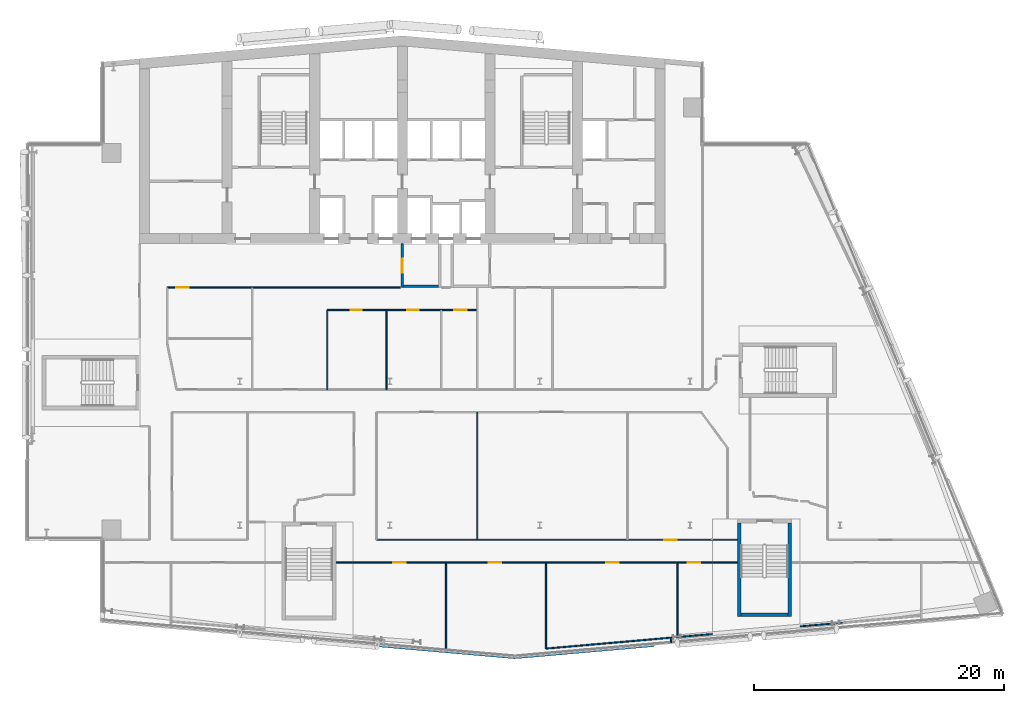
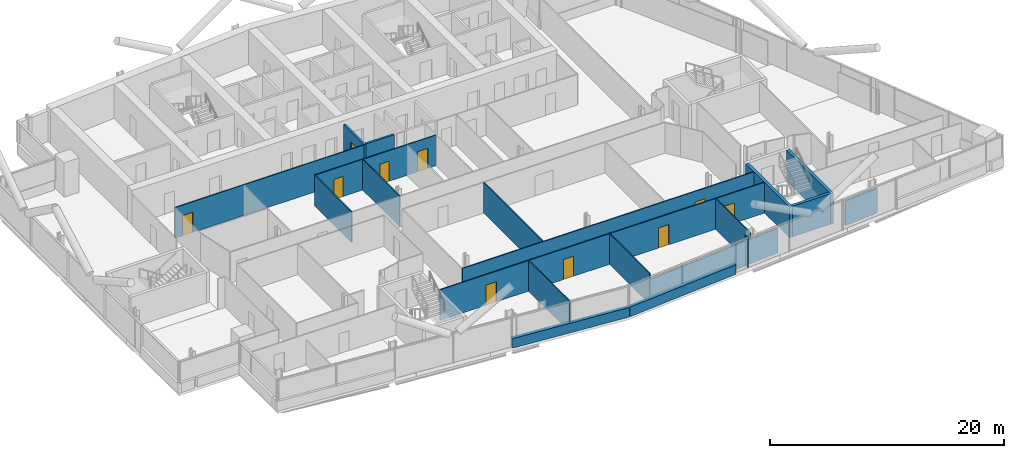
# One storey, part 15 of 27: 20 walls, 10 doors, 10 openings.
"""IFC4 building model written with IfcOpenShell, lengths in metres."""

from ifc_helpers import new_model, si_unit, direction, frame, frame_2d, origin, place, context, subcontext, project, spatial, rectangle, extrude, material, layer, layer_set, type_object, element, fill, save


model = new_model("IFC4")

# Units and contexts
model_context = context("Model", 3, precision=1e-05, world=origin(), true_north=direction((0.0, 1.0)))
body_context = subcontext(model_context, "Body", "Model", "MODEL_VIEW")
ifc_project = project(units=[si_unit("LENGTHUNIT", "METRE"), si_unit("AREAUNIT", "SQUARE_METRE"), si_unit("VOLUMEUNIT", "CUBIC_METRE"), si_unit("PLANEANGLEUNIT", "RADIAN"), si_unit("MASSUNIT", "GRAM", prefix="KILO")], contexts=[model_context])

# Site, building, storey
site_placement = place(None, origin())
site = spatial("IfcSite", under=ifc_project, at=site_placement, CompositionType="ELEMENT")
building_placement = place(site_placement, origin())
building = spatial("IfcBuilding", under=site, at=building_placement, Name="Wharfspan Tower", CompositionType="ELEMENT")
storey_placement = place(building_placement, frame((0.0, 0.0, 195.100098)))
storey = spatial("IfcBuildingStorey", under=building, at=storey_placement, Name="L48", CompositionType="ELEMENT", Elevation=195.100098)

# Wall, opening, door
ifc_material_1 = material(Name="Gypsum board on steel studs", Category="steel")
ifc_layer_1 = layer(ifc_material_1, 0.100098)
ifc_layer_set_1 = layer_set([ifc_layer_1], Name="Gypsum board on steel studs")
wall_type_1 = type_object("IfcWallType", Name="Compartment wall 100 EI 60", PredefinedType="PARTITIONING", material=ifc_layer_set_1)
wall_1_placement = place(storey_placement, frame((18.199951, 30.5, 0.0), z_axis=(0.0, 0.0, 1.0), x_axis=(1.0, 0.0, 0.0)))
wall_1 = element("IfcWall", 1, at=wall_1_placement, inside=storey, type_object=wall_type_1, Name="Partition L48.w011", PredefinedType="PARTITIONING", context=body_context, shape_type="SweptSolid", body=[
    extrude(rectangle(XDim=18.650146, YDim=0.100098, at=frame_2d((9.325195, 0.0))), origin(), (0.0, 0.0, 1.0), 3.199951),
])
opening_1_placement = place(wall_1_placement, frame((0.73999, 0.0, 0.0)))
opening_1 = element("IfcOpeningElement", 2, at=opening_1_placement, cuts=wall_1, Name="Opening C6-24", PredefinedType="OPENING", context=body_context, shape_type="SweptSolid", body=[
    extrude(rectangle(XDim=1.0, YDim=2.100098, at=frame_2d((0.5, 1.050049))), frame((0.0, 0.060059, 0.0), z_axis=(0.0, -1.0, 0.0), x_axis=(1.0, 0.0, 0.0)), (0.0, 0.0, 1.0), 0.120117),
])
ifc_material_2 = material(Name="Fire-rated timber door leaf in steel frame", Category="steel")
door_type_1 = type_object("IfcDoorType", Name="Door 1000 FD30S Left", OperationType="SINGLE_SWING_LEFT", PredefinedType="DOOR", material=ifc_material_2)
door_1_placement = place(opening_1_placement, origin())
door_1 = element("IfcDoor", 3, at=door_1_placement, inside=storey, type_object=door_type_1, Name="Door C6-24", OperationType="SINGLE_SWING_LEFT", OverallHeight=2.100098, OverallWidth=1.0, PredefinedType="DOOR", context=body_context, shape_type="SweptSolid", body=[
    extrude(rectangle(XDim=1.0, YDim=2.100098, at=frame_2d((0.5, 1.050049))), frame((0.0, 0.024902, 0.0), z_axis=(0.0, -1.0, 0.0), x_axis=(1.0, 0.0, 0.0)), (0.0, 0.0, 1.0), 0.050049),
])
fill(opening_1, door_1)

# Wall
wall_2_placement = place(storey_placement, frame((31.0, 22.340088, 0.0), z_axis=(0.0, 0.0, 1.0), x_axis=(0.0, 1.0, 0.0)))
element("IfcWall", 4, at=wall_2_placement, inside=storey, type_object=wall_type_1, Name="Partition L48.w031", PredefinedType="PARTITIONING", context=body_context, shape_type="SweptSolid", body=[
    extrude(rectangle(XDim=6.359863, YDim=0.100098, at=frame_2d((3.179932, 0.0))), origin(), (0.0, 0.0, 1.0), 3.199951),
])

# Wall, openings, doors
wall_3_placement = place(storey_placement, frame((31.714111, 8.52002, 0.0), z_axis=(0.0, 0.0, 1.0), x_axis=(1.0, 0.0, 0.0)))
wall_3 = element("IfcWall", 5, at=wall_3_placement, inside=storey, type_object=wall_type_1, Name="Partition L48.w033", PredefinedType="PARTITIONING", context=body_context, shape_type="SweptSolid", body=[
    extrude(rectangle(XDim=32.072266, YDim=0.100098, at=frame_2d((16.036133, 0.0))), origin(), (0.0, 0.0, 1.0), 3.199951),
])
opening_2_placement = place(wall_3_placement, frame((4.545898, 0.0, 0.0)))
opening_2 = element("IfcOpeningElement", 6, at=opening_2_placement, cuts=wall_3, Name="Opening C6-03", PredefinedType="OPENING", context=body_context, shape_type="SweptSolid", body=[
    extrude(rectangle(XDim=1.0, YDim=2.100098, at=frame_2d((0.5, 1.050049))), frame((0.0, 0.060059, 0.0), z_axis=(0.0, -1.0, 0.0), x_axis=(1.0, 0.0, 0.0)), (0.0, 0.0, 1.0), 0.120117),
])
opening_3_placement = place(wall_3_placement, frame((12.205811, 0.0, 0.0)))
opening_3 = element("IfcOpeningElement", 7, at=opening_3_placement, cuts=wall_3, Name="Opening C6-04", PredefinedType="OPENING", context=body_context, shape_type="SweptSolid", body=[
    extrude(rectangle(XDim=1.0, YDim=2.100098, at=frame_2d((0.5, 1.050049))), frame((0.0, 0.060059, 0.0), z_axis=(0.0, -1.0, 0.0), x_axis=(1.0, 0.0, 0.0)), (0.0, 0.0, 1.0), 0.120117),
])
opening_4_placement = place(wall_3_placement, frame((21.605713, 0.0, 0.0)))
opening_4 = element("IfcOpeningElement", 8, at=opening_4_placement, cuts=wall_3, Name="Opening C6-05", PredefinedType="OPENING", context=body_context, shape_type="SweptSolid", body=[
    extrude(rectangle(XDim=1.0, YDim=2.100098, at=frame_2d((0.5, 1.050049))), frame((0.0, 0.060059, 0.0), z_axis=(0.0, -1.0, 0.0), x_axis=(1.0, 0.0, 0.0)), (0.0, 0.0, 1.0), 0.120117),
])
opening_5_placement = place(wall_3_placement, frame((28.105713, 0.0, 0.0)))
opening_5 = element("IfcOpeningElement", 9, at=opening_5_placement, cuts=wall_3, Name="Opening C6-06", PredefinedType="OPENING", context=body_context, shape_type="SweptSolid", body=[
    extrude(rectangle(XDim=1.0, YDim=2.100098, at=frame_2d((0.5, 1.050049))), frame((0.0, 0.060059, 0.0), z_axis=(0.0, -1.0, 0.0), x_axis=(1.0, 0.0, 0.0)), (0.0, 0.0, 1.0), 0.120117),
])
door_2_placement = place(opening_2_placement, origin())
door_2 = element("IfcDoor", 10, at=door_2_placement, inside=storey, type_object=door_type_1, Name="Door C6-03", OperationType="SINGLE_SWING_LEFT", OverallHeight=2.100098, OverallWidth=1.0, PredefinedType="DOOR", context=body_context, shape_type="SweptSolid", body=[
    extrude(rectangle(XDim=1.0, YDim=2.100098, at=frame_2d((0.5, 1.050049))), frame((0.0, 0.024902, 0.0), z_axis=(0.0, -1.0, 0.0), x_axis=(1.0, 0.0, 0.0)), (0.0, 0.0, 1.0), 0.050049),
])
fill(opening_2, door_2)
door_3_placement = place(opening_3_placement, origin())
door_3 = element("IfcDoor", 11, at=door_3_placement, inside=storey, type_object=door_type_1, Name="Door C6-04", OperationType="SINGLE_SWING_LEFT", OverallHeight=2.100098, OverallWidth=1.0, PredefinedType="DOOR", context=body_context, shape_type="SweptSolid", body=[
    extrude(rectangle(XDim=1.0, YDim=2.100098, at=frame_2d((0.5, 1.050049))), frame((0.0, 0.024902, 0.0), z_axis=(0.0, -1.0, 0.0), x_axis=(1.0, 0.0, 0.0)), (0.0, 0.0, 1.0), 0.050049),
])
fill(opening_3, door_3)
door_type_2 = type_object("IfcDoorType", Name="Door 1000 FD30S Right", OperationType="SINGLE_SWING_RIGHT", PredefinedType="DOOR", material=ifc_material_2)
door_4_placement = place(opening_4_placement, origin())
door_4 = element("IfcDoor", 12, at=door_4_placement, inside=storey, type_object=door_type_2, Name="Door C6-05", OperationType="SINGLE_SWING_RIGHT", OverallHeight=2.100098, OverallWidth=1.0, PredefinedType="DOOR", context=body_context, shape_type="SweptSolid", body=[
    extrude(rectangle(XDim=1.0, YDim=2.100098, at=frame_2d((0.5, 1.050049))), frame((0.0, 0.024902, 0.0), z_axis=(0.0, -1.0, 0.0), x_axis=(1.0, 0.0, 0.0)), (0.0, 0.0, 1.0), 0.050049),
])
fill(opening_4, door_4)
door_5_placement = place(opening_5_placement, origin())
door_5 = element("IfcDoor", 13, at=door_5_placement, inside=storey, type_object=door_type_2, Name="Door C6-06", OperationType="SINGLE_SWING_RIGHT", OverallHeight=2.100098, OverallWidth=1.0, PredefinedType="DOOR", context=body_context, shape_type="SweptSolid", body=[
    extrude(rectangle(XDim=1.0, YDim=2.100098, at=frame_2d((0.5, 1.050049))), frame((0.0, 0.024902, 0.0), z_axis=(0.0, -1.0, 0.0), x_axis=(1.0, 0.0, 0.0)), (0.0, 0.0, 1.0), 0.050049),
])
fill(opening_5, door_5)

# Wall, opening, door
wall_4_placement = place(storey_placement, frame((34.945068, 10.324951, 0.0), z_axis=(0.0, 0.0, 1.0), x_axis=(1.0, 0.0, 0.0)))
wall_4 = element("IfcWall", 14, at=wall_4_placement, inside=storey, type_object=wall_type_1, Name="Partition L48.w036", PredefinedType="PARTITIONING", context=body_context, shape_type="SweptSolid", body=[
    extrude(rectangle(XDim=28.841309, YDim=0.100098, at=frame_2d((14.420654, 0.0))), origin(), (0.0, 0.0, 1.0), 3.199951),
])
opening_6_placement = place(wall_4_placement, frame((22.995117, 0.0, 0.0)))
opening_6 = element("IfcOpeningElement", 15, at=opening_6_placement, cuts=wall_4, Name="Opening C6-09", PredefinedType="OPENING", context=body_context, shape_type="SweptSolid", body=[
    extrude(rectangle(XDim=1.0, YDim=2.100098, at=frame_2d((0.5, 1.050049))), frame((0.0, 0.060059, 0.0), z_axis=(0.0, -1.0, 0.0), x_axis=(1.0, 0.0, 0.0)), (0.0, 0.0, 1.0), 0.120117),
])
door_6_placement = place(opening_6_placement, origin())
door_6 = element("IfcDoor", 16, at=door_6_placement, inside=storey, type_object=door_type_2, Name="Door C6-09", OperationType="SINGLE_SWING_RIGHT", OverallHeight=2.100098, OverallWidth=1.0, PredefinedType="DOOR", context=body_context, shape_type="SweptSolid", body=[
    extrude(rectangle(XDim=1.0, YDim=2.100098, at=frame_2d((0.5, 1.050049))), frame((0.0, 0.024902, 0.0), z_axis=(0.0, -1.0, 0.0), x_axis=(1.0, 0.0, 0.0)), (0.0, 0.0, 1.0), 0.050049),
])
fill(opening_6, door_6)

# Walls
wall_5_placement = place(storey_placement, frame((35.73999, 22.340088, 0.0), z_axis=(0.0, 0.0, 1.0), x_axis=(0.0, 1.0, 0.0)))
element("IfcWall", 17, at=wall_5_placement, inside=storey, type_object=wall_type_1, Name="Partition L48.w040", PredefinedType="PARTITIONING", context=body_context, shape_type="SweptSolid", body=[
    extrude(rectangle(XDim=6.359863, YDim=0.100098, at=frame_2d((3.179932, 0.0))), origin(), (0.0, 0.0, 1.0), 3.199951),
])
wall_6_placement = place(storey_placement, frame((40.5, 1.489258, 0.0), z_axis=(0.0, 0.0, 1.0), x_axis=(0.0, 1.0, 0.0)))
element("IfcWall", 18, at=wall_6_placement, inside=storey, type_object=wall_type_1, Name="Partition L48.w042", PredefinedType="PARTITIONING", context=body_context, shape_type="SweptSolid", body=[
    extrude(rectangle(XDim=7.030762, YDim=0.100098, at=frame_2d((3.515381, 0.0))), origin(), (0.0, 0.0, 1.0), 3.199951),
])
wall_7_placement = place(storey_placement, frame((43.0, 10.330078, 0.0), z_axis=(0.0, 0.0, 1.0), x_axis=(0.0, 1.0, 0.0)))
element("IfcWall", 19, at=wall_7_placement, inside=storey, type_object=wall_type_1, Name="Partition L48.w043", PredefinedType="PARTITIONING", context=body_context, shape_type="SweptSolid", body=[
    extrude(rectangle(XDim=10.204834, YDim=0.100098, at=frame_2d((5.102539, 0.0))), origin(), (0.0, 0.0, 1.0), 3.199951),
])
wall_8_placement = place(storey_placement, frame((48.5, 1.629883, 0.0), z_axis=(0.0, 0.0, 1.0), x_axis=(0.0, 1.0, 0.0)))
element("IfcWall", 20, at=wall_8_placement, inside=storey, type_object=wall_type_1, Name="Partition L48.w046", PredefinedType="PARTITIONING", context=body_context, shape_type="SweptSolid", body=[
    extrude(rectangle(XDim=6.890137, YDim=0.100098, at=frame_2d((3.445068, 0.0))), origin(), (0.0, 0.0, 1.0), 3.199951),
])
wall_9_placement = place(storey_placement, frame((59.0, 2.544922, 0.0), z_axis=(0.0, 0.0, 1.0), x_axis=(0.0, 1.0, 0.0)))
element("IfcWall", 21, at=wall_9_placement, inside=storey, type_object=wall_type_1, Name="Partition L48.w052", PredefinedType="PARTITIONING", context=body_context, shape_type="SweptSolid", body=[
    extrude(rectangle(XDim=5.975098, YDim=0.100098, at=frame_2d((2.987549, 0.0))), origin(), (0.0, 0.0, 1.0), 3.199951),
])

# Wall, opening, door
ifc_material_3 = material(Name="Concrete C30/37", Category="concrete")
ifc_layer_2 = layer(ifc_material_3, 0.199951)
ifc_layer_set_2 = layer_set([ifc_layer_2], Name="Concrete C30/37")
wall_type_2 = type_object("IfcWallType", Name="Lobby wall 200", PredefinedType="PARTITIONING", material=ifc_layer_set_2)
wall_10_placement = place(storey_placement, frame((37.0, 30.5, 0.0), z_axis=(0.0, 0.0, 1.0), x_axis=(0.0, 1.0, 0.0)))
wall_10 = element("IfcWall", 22, at=wall_10_placement, inside=storey, type_object=wall_type_2, Name="sw:L48:FLFF1W", PredefinedType="PARTITIONING", context=body_context, shape_type="SweptSolid", body=[
    extrude(rectangle(XDim=3.5, YDim=0.199951, at=frame_2d((1.75, 0.0))), origin(), (0.0, 0.0, 1.0), 3.199951),
])
opening_7_placement = place(wall_10_placement, frame((1.199951, 0.0, 0.0)))
opening_7 = element("IfcOpeningElement", 23, at=opening_7_placement, cuts=wall_10, Name="Opening FL.FF1.L48", PredefinedType="OPENING", context=body_context, shape_type="SweptSolid", body=[
    extrude(rectangle(XDim=1.100098, YDim=2.100098, at=frame_2d((0.550049, 1.050049))), frame((0.0, 0.109863, 0.0), z_axis=(0.0, -1.0, 0.0), x_axis=(1.0, 0.0, 0.0)), (0.0, 0.0, 1.0), 0.219971),
])
ifc_material_4 = material(Name="Steel door leaf", Category="steel")
door_type_3 = type_object("IfcDoorType", Name="Firefighting lobby door 1100x2100", OperationType="SINGLE_SWING_LEFT", PredefinedType="DOOR", material=ifc_material_4)
door_7_placement = place(opening_7_placement, origin())
door_7 = element("IfcDoor", 24, at=door_7_placement, inside=storey, type_object=door_type_3, Name="fd:L48:FF1", OperationType="SINGLE_SWING_LEFT", OverallHeight=2.100098, OverallWidth=1.100098, PredefinedType="DOOR", context=body_context, shape_type="SweptSolid", body=[
    extrude(rectangle(XDim=1.100098, YDim=2.100098, at=frame_2d((0.550049, 1.050049))), frame((0.0, 0.024902, 0.0), z_axis=(0.0, -1.0, 0.0), x_axis=(1.0, 0.0, 0.0)), (0.0, 0.0, 1.0), 0.050049),
])
fill(opening_7, door_7)

# Wall
wall_11_placement = place(storey_placement, frame((37.100098, 30.600098, 0.0), z_axis=(0.0, 0.0, 1.0), x_axis=(1.0, 0.0, 0.0)))
element("IfcWall", 25, at=wall_11_placement, inside=storey, type_object=wall_type_2, Name="sw:L48:FLFF1F", PredefinedType="PARTITIONING", context=body_context, shape_type="SweptSolid", body=[
    extrude(rectangle(XDim=2.799805, YDim=0.199951, at=frame_2d((1.399902, 0.0))), origin(), (0.0, 0.0, 1.0), 3.199951),
])

# Wall, openings, doors
ifc_layer_3 = layer(ifc_material_1, 0.100098)
ifc_layer_set_3 = layer_set([ifc_layer_3], Name="Gypsum board on steel studs")
wall_type_3 = type_object("IfcWallType", Name="Partition 100", PredefinedType="PARTITIONING", material=ifc_layer_set_3)
wall_12_placement = place(storey_placement, frame((31.0, 28.699951, 0.0), z_axis=(0.0, 0.0, 1.0), x_axis=(1.0, 0.0, 0.0)))
wall_12 = element("IfcWall", 26, at=wall_12_placement, inside=storey, type_object=wall_type_3, Name="Partition L48.w032", PredefinedType="PARTITIONING", context=body_context, shape_type="SweptSolid", body=[
    extrude(rectangle(XDim=12.0, YDim=0.100098, at=frame_2d((6.0, 0.0))), origin(), (0.0, 0.0, 1.0), 3.199951),
])
opening_8_placement = place(wall_12_placement, frame((1.870117, 0.0, 0.0)))
opening_8 = element("IfcOpeningElement", 27, at=opening_8_placement, cuts=wall_12, Name="Opening C6-20", PredefinedType="OPENING", context=body_context, shape_type="SweptSolid", body=[
    extrude(rectangle(XDim=0.899902, YDim=2.100098, at=frame_2d((0.449951, 1.050049))), frame((0.0, 0.060059, 0.0), z_axis=(0.0, -1.0, 0.0), x_axis=(1.0, 0.0, 0.0)), (0.0, 0.0, 1.0), 0.120117),
])
opening_9_placement = place(wall_12_placement, frame((6.409912, 0.0, 0.0)))
opening_9 = element("IfcOpeningElement", 28, at=opening_9_placement, cuts=wall_12, Name="Opening C6-21", PredefinedType="OPENING", context=body_context, shape_type="SweptSolid", body=[
    extrude(rectangle(XDim=0.899902, YDim=2.100098, at=frame_2d((0.449951, 1.050049))), frame((0.0, 0.060059, 0.0), z_axis=(0.0, -1.0, 0.0), x_axis=(1.0, 0.0, 0.0)), (0.0, 0.0, 1.0), 0.120117),
])
opening_10_placement = place(wall_12_placement, frame((10.139893, 0.0, 0.0)))
opening_10 = element("IfcOpeningElement", 29, at=opening_10_placement, cuts=wall_12, Name="Opening C6-22", PredefinedType="OPENING", context=body_context, shape_type="SweptSolid", body=[
    extrude(rectangle(XDim=1.0, YDim=2.100098, at=frame_2d((0.5, 1.050049))), frame((0.0, 0.060059, 0.0), z_axis=(0.0, -1.0, 0.0), x_axis=(1.0, 0.0, 0.0)), (0.0, 0.0, 1.0), 0.120117),
])
ifc_material_5 = material(Name="Timber door leaf in steel frame", Category="steel")
door_type_4 = type_object("IfcDoorType", Name="Door 1000 NOT RATED Right", OperationType="SINGLE_SWING_RIGHT", PredefinedType="DOOR", material=ifc_material_5)
door_8_placement = place(opening_10_placement, origin())
door_8 = element("IfcDoor", 30, at=door_8_placement, inside=storey, type_object=door_type_4, Name="Door C6-22", OperationType="SINGLE_SWING_RIGHT", OverallHeight=2.100098, OverallWidth=1.0, PredefinedType="DOOR", context=body_context, shape_type="SweptSolid", body=[
    extrude(rectangle(XDim=1.0, YDim=2.100098, at=frame_2d((0.5, 1.050049))), frame((0.0, 0.024902, 0.0), z_axis=(0.0, -1.0, 0.0), x_axis=(1.0, 0.0, 0.0)), (0.0, 0.0, 1.0), 0.050049),
])
fill(opening_10, door_8)
door_type_5 = type_object("IfcDoorType", Name="Door 900 NOT RATED Left", OperationType="SINGLE_SWING_LEFT", PredefinedType="DOOR", material=ifc_material_5)
door_9_placement = place(opening_8_placement, origin())
door_9 = element("IfcDoor", 31, at=door_9_placement, inside=storey, type_object=door_type_5, Name="Door C6-20", OperationType="SINGLE_SWING_LEFT", OverallHeight=2.100098, OverallWidth=0.899902, PredefinedType="DOOR", context=body_context, shape_type="SweptSolid", body=[
    extrude(rectangle(XDim=0.899902, YDim=2.100098, at=frame_2d((0.449951, 1.050049))), frame((0.0, 0.024902, 0.0), z_axis=(0.0, -1.0, 0.0), x_axis=(1.0, 0.0, 0.0)), (0.0, 0.0, 1.0), 0.050049),
])
fill(opening_8, door_9)
door_type_6 = type_object("IfcDoorType", Name="Door 900 NOT RATED Right", OperationType="SINGLE_SWING_RIGHT", PredefinedType="DOOR", material=ifc_material_5)
door_10_placement = place(opening_9_placement, origin())
door_10 = element("IfcDoor", 32, at=door_10_placement, inside=storey, type_object=door_type_6, Name="Door C6-21", OperationType="SINGLE_SWING_RIGHT", OverallHeight=2.100098, OverallWidth=0.899902, PredefinedType="DOOR", context=body_context, shape_type="SweptSolid", body=[
    extrude(rectangle(XDim=0.899902, YDim=2.100098, at=frame_2d((0.449951, 1.050049))), frame((0.0, 0.024902, 0.0), z_axis=(0.0, -1.0, 0.0), x_axis=(1.0, 0.0, 0.0)), (0.0, 0.0, 1.0), 0.050049),
])
fill(opening_9, door_10)

# Walls
wall_13_placement = place(storey_placement, frame((48.5, 1.629883, 0.0), z_axis=(0.0, 0.0, 1.0), x_axis=(0.996225, 0.086828, 0.0)))
element("IfcWall", 33, at=wall_13_placement, inside=storey, type_object=wall_type_3, Name="Partition L48.w047", PredefinedType="PARTITIONING", context=body_context, shape_type="SweptSolid", body=[
    extrude(rectangle(XDim=13.341797, YDim=0.100098, at=frame_2d((6.670898, 0.0))), origin(), (0.0, 0.0, 1.0), 2.579834),
])
wall_14_placement = place(storey_placement, frame((58.498291, 2.101562, 0.0), z_axis=(0.0, 0.0, 1.0), x_axis=(-0.083045, 0.996542, 0.0)))
element("IfcWall", 34, at=wall_14_placement, inside=storey, type_object=wall_type_3, Name="Partition L48.w051", PredefinedType="PARTITIONING", context=body_context, shape_type="SweptSolid", body=[
    extrude(rectangle(XDim=0.399902, YDim=0.100098, at=frame_2d((0.199951, 0.0))), origin(), (0.0, 0.0, 1.0), 3.199951),
])
wall_15_placement = place(storey_placement, frame((68.831299, 3.406738, 0.0), z_axis=(0.0, 0.0, 1.0), x_axis=(0.996283, 0.086167, 0.0)))
element("IfcWall", 35, at=wall_15_placement, inside=storey, type_object=wall_type_3, Name="Partition L48.w068", PredefinedType="PARTITIONING", context=body_context, shape_type="SweptSolid", body=[
    extrude(rectangle(XDim=3.346191, YDim=0.100098, at=frame_2d((1.673096, 0.0))), origin(), (0.0, 0.0, 1.0), 2.579834),
])
ifc_material_6 = material(Name="Concrete C40/50", Category="concrete")
ifc_layer_4 = layer(ifc_material_6, 0.350098)
ifc_layer_set_4 = layer_set([ifc_layer_4], Name="Concrete C40/50")
wall_type_4 = type_object("IfcWallType", Name="SPANDREL EXPOSED CONCRETE 350", PredefinedType="SOLIDWALL", material=ifc_layer_set_4)
wall_16_placement = place(storey_placement, frame((35.029541, 1.942627, 0.0), z_axis=(0.0, 0.0, 1.0), x_axis=(0.996199, -0.08714, 0.0)))
element("IfcWall", 36, at=wall_16_placement, inside=storey, type_object=wall_type_4, Name="Spandrel upstand L48 S1 2", PredefinedType="SOLIDWALL", context=body_context, shape_type="SweptSolid", body=[
    extrude(rectangle(XDim=11.027588, YDim=0.350098, at=frame_2d((5.513672, 0.0))), origin(), (0.0, 0.0, 1.0), 1.0),
])
wall_17_placement = place(storey_placement, frame((46.04541, 0.986816, 0.0), z_axis=(0.0, 0.0, 1.0), x_axis=(0.996193, 0.087171, 0.0)))
element("IfcWall", 37, at=wall_17_placement, inside=storey, type_object=wall_type_4, Name="Spandrel upstand L48 S2 1", PredefinedType="SOLIDWALL", context=body_context, shape_type="SweptSolid", body=[
    extrude(rectangle(XDim=11.110352, YDim=0.350098, at=frame_2d((5.555176, 0.0))), origin(), (0.0, 0.0, 1.0), 1.0),
])
ifc_layer_5 = layer(ifc_material_6, 0.300049)
ifc_layer_set_5 = layer_set([ifc_layer_5], Name="Concrete C40/50")
wall_type_5 = type_object("IfcWallType", Name="Stair core wall 300", PredefinedType="SHEAR", material=ifc_layer_set_5)
for number, where, z_axis, x_axis, name in (
    (38, (63.936279, 4.183594, 0.0), (0.0, 0.0, 1.0), (0.0, 1.0, 0.0), "ST5 stair enclosure wall L48"),
    (39, (67.986328, 4.183594, 0.0), (0.0, 0.0, 1.0), (0.0, 1.0, 0.0), "ST5 stair enclosure wall L48"),
):
    element("IfcWall", number, at=place(storey_placement, frame(where, z_axis=z_axis, x_axis=x_axis)), inside=storey, type_object=wall_type_5, Name=name, PredefinedType="SHEAR", context=body_context, shape_type="SweptSolid", body=[
        extrude(rectangle(XDim=7.5, YDim=0.300049, at=frame_2d((3.75, 0.0))), origin(), (0.0, 0.0, 1.0), 3.199951),
    ])
wall_18_placement = place(storey_placement, frame((64.086426, 4.33374, 0.0), z_axis=(0.0, 0.0, 1.0), x_axis=(1.0, 0.0, 0.0)))
element("IfcWall", 40, at=wall_18_placement, inside=storey, type_object=wall_type_5, Name="ST5 stair enclosure wall L48", PredefinedType="SHEAR", context=body_context, shape_type="SweptSolid", body=[
    extrude(rectangle(XDim=3.75, YDim=0.300049, at=frame_2d((1.875, 0.0))), origin(), (0.0, 0.0, 1.0), 3.199951),
])

save(model, "model.ifc")
